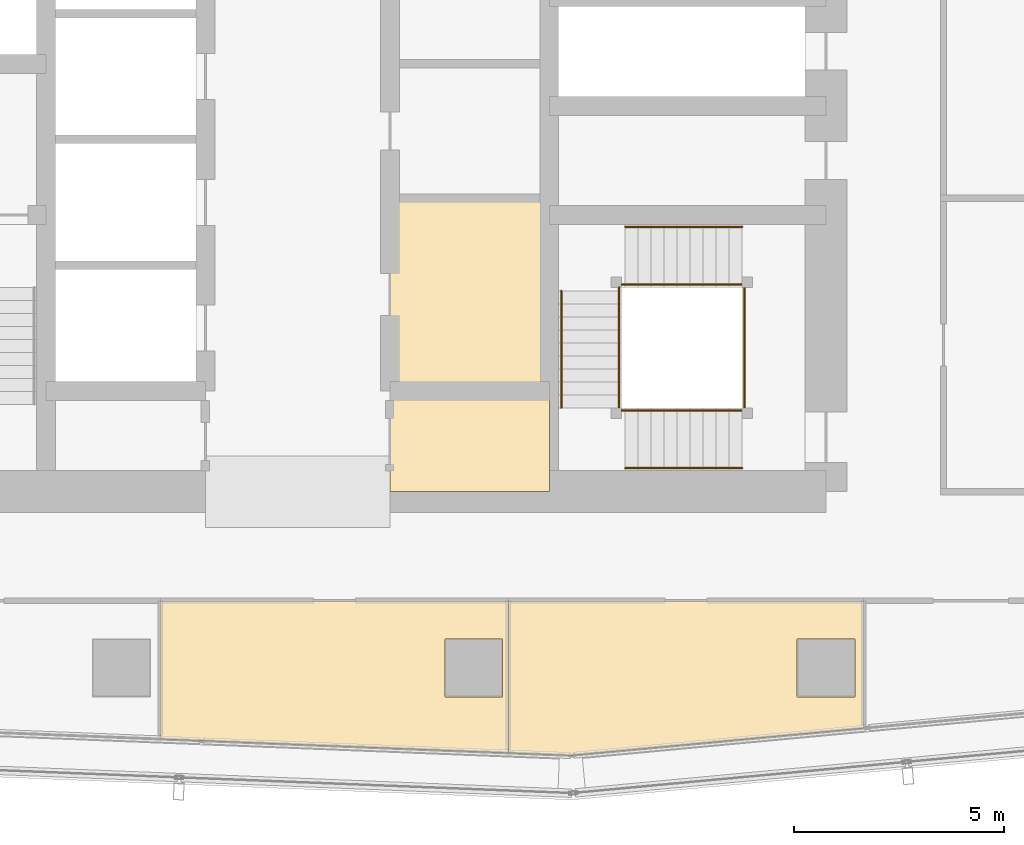
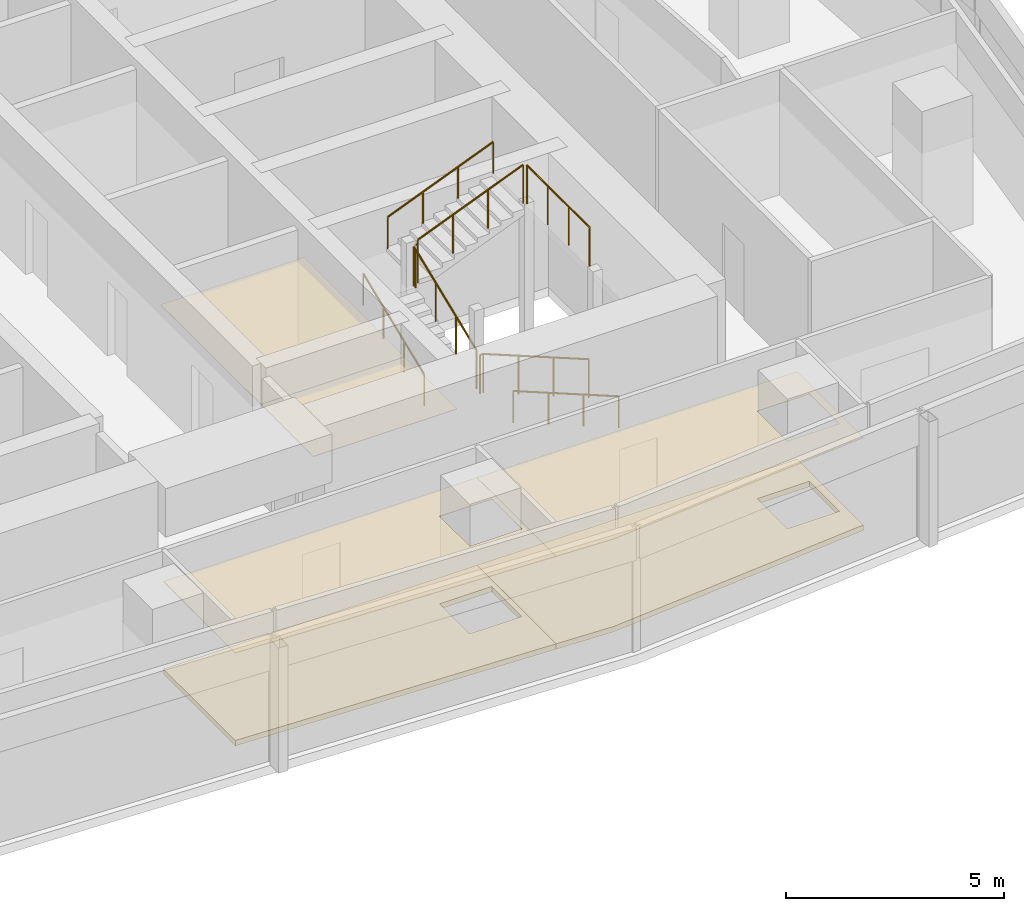
# One storey, part 35 of 40: 10 railings, 6 coverings.
"""IFC4 building model written with IfcOpenShell, lengths in metres."""

from ifc_helpers import new_model, si_unit, direction, frame, origin, origin_2d, place, context, subcontext, project, spatial, polyline, circle, outline, extrude, material, layer, layer_set, type_object, element, save


model = new_model("IFC4")

# Units and contexts
model_context = context("Model", 3, precision=1e-05, world=origin(), true_north=direction((0.0, 1.0)))
body_context = subcontext(model_context, "Body", "Model", "MODEL_VIEW")
ifc_project = project(units=[si_unit("LENGTHUNIT", "METRE"), si_unit("AREAUNIT", "SQUARE_METRE"), si_unit("VOLUMEUNIT", "CUBIC_METRE"), si_unit("PLANEANGLEUNIT", "RADIAN"), si_unit("MASSUNIT", "GRAM", prefix="KILO")], contexts=[model_context])

# Site, building, storey
site_placement = place(None, origin())
site = spatial("IfcSite", under=ifc_project, at=site_placement, CompositionType="ELEMENT")
building_placement = place(site_placement, origin())
building = spatial("IfcBuilding", under=site, at=building_placement, Name="Rekha Terrace Tower", CompositionType="ELEMENT")
storey_placement = place(building_placement, frame((0.0, 0.0, 213.949951171875)))
storey = spatial("IfcBuildingStorey", under=building, at=storey_placement, Name="L54", CompositionType="ELEMENT", Elevation=213.949951171875)

# Coverings
ifc_material_1 = material(Name="Mineral fibre tile in exposed grid", Category="finish")
ifc_layer_1 = layer(ifc_material_1, 0.02001953125)
ifc_layer_set_1 = layer_set([ifc_layer_1], Name="Mineral fibre tile in exposed grid")
covering_type_1 = type_object("IfcCoveringType", Name="CL1 600x1200 office grid ceiling", PredefinedType="CEILING", material=ifc_layer_set_1)
covering_1_placement = place(storey_placement, frame((0.0, 0.0, 2.580078125)))
element("IfcCovering", 1, at=covering_1_placement, inside=storey, type_object=covering_type_1, Name="Ceiling L54-02", PredefinedType="CEILING", context=body_context, shape_type="SweptSolid", body=[
    extrude(outline(polyline([(34.531005859375, 18.39990234375), (34.531005859375, 15.10205078125), (42.822998046875, 14.77099609375), (42.822998046875, 18.39990234375), (34.531005859375, 18.39990234375)]), holes=[polyline([(42.68994140625, 17.489990234375), (42.68994140625, 16.110107421875), (41.31005859375, 16.110107421875), (41.31005859375, 17.489990234375), (42.68994140625, 17.489990234375)])]), origin(), (0.0, 0.0, 1.0), 0.02001953125),
])
covering_2_placement = place(storey_placement, frame((0.0, 0.0, 2.580078125)))
element("IfcCovering", 2, at=covering_2_placement, inside=storey, type_object=covering_type_1, Name="Ceiling L54-03", PredefinedType="CEILING", context=body_context, shape_type="SweptSolid", body=[
    extrude(outline(polyline([(42.823974609375, 14.77099609375), (44.31201171875, 14.7119140625), (51.2900390625, 15.362060546875), (51.2900390625, 18.39990234375), (42.823974609375, 18.39990234375), (42.823974609375, 14.77099609375)]), holes=[polyline([(51.090087890625, 16.110107421875), (49.7099609375, 16.110107421875), (49.7099609375, 17.489990234375), (51.090087890625, 17.489990234375), (51.090087890625, 16.110107421875)])]), origin(), (0.0, 0.0, 1.0), 0.02001953125),
])
ifc_material_2 = material(Name="Fibre cement board", Category="finish")
ifc_layer_2 = layer(ifc_material_2, 0.014892578125)
ifc_layer_set_2 = layer_set([ifc_layer_2], Name="Fibre cement board")
covering_type_2 = type_object("IfcCoveringType", Name="CL2 moisture-resistant board ceiling", PredefinedType="CEILING", material=ifc_layer_set_2)
covering_3_placement = place(storey_placement, frame((0.0, 0.0, 2.5849609375)))
element("IfcCovering", 3, at=covering_3_placement, inside=storey, type_object=covering_type_2, Name="Ceiling L54-WCA", PredefinedType="CEILING", context=body_context, shape_type="SweptSolid", body=[
    extrude(outline(polyline([(43.800048828125, 23.39990234375), (40.0, 23.39990234375), (40.0, 21.0), (43.800048828125, 21.0), (43.800048828125, 23.39990234375)])), origin(), (0.0, 0.0, 1.0), 0.01513671875),
])
covering_4_placement = place(storey_placement, frame((0.0, 0.0, 2.5849609375)))
element("IfcCovering", 4, at=covering_4_placement, inside=storey, type_object=covering_type_2, Name="Ceiling L54-FSE1", PredefinedType="CEILING", context=body_context, shape_type="SweptSolid", body=[
    extrude(outline(polyline([(43.800048828125, 28.0), (40.0, 28.0), (40.0, 23.39990234375), (43.800048828125, 23.39990234375), (43.800048828125, 28.0)])), origin(), (0.0, 0.0, 1.0), 0.01513671875),
])

# Railings
ifc_material_3 = material(Name="Stainless steel balustrade", Category="steel")
railing_type_1 = type_object("IfcRailingType", Name="GR1 1100 stair guard", PredefinedType="GUARDRAIL", material=ifc_material_3)
railing_1_placement = place(storey_placement, frame((48.39990234375, 22.93994140625, 0.125)))
element("IfcRailing", 5, at=railing_1_placement, inside=storey, type_object=railing_type_1, Name="Guard ST3 L54 flight 1", PredefinedType="GUARDRAIL", context=body_context, shape_type="SweptSolid", body=[
    extrude(circle(Radius=0.02392578125, at=origin_2d()), frame((0.0, 0.0, 1.076171875), z_axis=(-0.927431937212, 0.0, 0.373991980981), x_axis=(0.0, -1.0, 0.0)), (0.0, 0.0, 1.0), 3.008056640625),
    extrude(circle(Radius=0.02099609375, at=origin_2d()), origin(), (0.0, 0.0, 1.0), 1.052001953125),
    extrude(circle(Radius=0.02099609375, at=origin_2d()), frame((-0.929931640625, 0.0, 0.375)), (0.0, 0.0, 1.0), 1.052001953125),
    extrude(circle(Radius=0.02099609375, at=origin_2d()), frame((-1.85986328125, 0.0, 0.75)), (0.0, 0.0, 1.0), 1.052001953125),
    extrude(circle(Radius=0.02099609375, at=origin_2d()), frame((-2.789794921875, 0.0, 1.125)), (0.0, 0.0, 1.0), 1.052001953125),
])
railing_2_placement = place(storey_placement, frame((45.465087890625, 23.0, 1.375)))
element("IfcRailing", 6, at=railing_2_placement, inside=storey, type_object=railing_type_1, Name="Guard ST3 L54 flight 2", PredefinedType="GUARDRAIL", context=body_context, shape_type="SweptSolid", body=[
    extrude(circle(Radius=0.02392578125, at=origin_2d()), frame((0.0, 0.0, 1.076171875), z_axis=(0.0, 0.927443287984, 0.373963831907), x_axis=(-1.0, 0.0, 0.0)), (0.0, 0.0, 1.0), 3.00830078125),
    extrude(circle(Radius=0.02099609375, at=origin_2d()), origin(), (0.0, 0.0, 1.0), 1.052001953125),
    extrude(circle(Radius=0.02099609375, at=origin_2d()), frame((0.0, 0.929931640625, 0.375)), (0.0, 0.0, 1.0), 1.052001953125),
    extrude(circle(Radius=0.02099609375, at=origin_2d()), frame((0.0, 1.860107421875, 0.75)), (0.0, 0.0, 1.0), 1.052001953125),
    extrude(circle(Radius=0.02099609375, at=origin_2d()), frame((0.0, 2.7900390625, 1.125)), (0.0, 0.0, 1.0), 1.052001953125),
])
railing_3_placement = place(storey_placement, frame((45.610107421875, 25.93505859375, 2.625)))
element("IfcRailing", 7, at=railing_3_placement, inside=storey, type_object=railing_type_1, Name="Guard ST3 L54 flight 3", PredefinedType="GUARDRAIL", context=body_context, shape_type="SweptSolid", body=[
    extrude(circle(Radius=0.02392578125, at=origin_2d()), frame((0.0, 0.0, 1.076171875), z_axis=(0.927431937212, 0.0, 0.373991980981), x_axis=(0.0, 1.0, 0.0)), (0.0, 0.0, 1.0), 3.008056640625),
    extrude(circle(Radius=0.02099609375, at=origin_2d()), origin(), (0.0, 0.0, 1.0), 1.052001953125),
    extrude(circle(Radius=0.02099609375, at=origin_2d()), frame((0.929931640625, 0.0, 0.375)), (0.0, 0.0, 1.0), 1.052001953125),
    extrude(circle(Radius=0.02099609375, at=origin_2d()), frame((1.85986328125, 0.0, 0.75)), (0.0, 0.0, 1.0), 1.052001953125),
    extrude(circle(Radius=0.02099609375, at=origin_2d()), frame((2.789794921875, 0.0, 1.125)), (0.0, 0.0, 1.0), 1.052001953125),
])
railing_4_placement = place(storey_placement, frame((45.610107421875, 22.93994140625, 1.25)))
element("IfcRailing", 8, at=railing_4_placement, inside=storey, type_object=railing_type_1, Name="Guard ST3 L54 landing 1", PredefinedType="GUARDRAIL", context=body_context, shape_type="SweptSolid", body=[
    extrude(circle(Radius=0.02392578125, at=origin_2d()), frame((0.0, 0.0, 1.076171875), z_axis=(-1.0, 0.0, 0.0), x_axis=(0.0, -1.0, 0.0)), (0.0, 0.0, 1.0), 0.085205078125),
    extrude(circle(Radius=0.02099609375, at=origin_2d()), origin(), (0.0, 0.0, 1.0), 1.052001953125),
    extrude(circle(Radius=0.02099609375, at=origin_2d()), frame((-0.085205078125, 0.0, 0.0)), (0.0, 0.0, 1.0), 1.052001953125),
])
railing_5_placement = place(storey_placement, frame((45.465087890625, 25.7900390625, 2.5)))
element("IfcRailing", 9, at=railing_5_placement, inside=storey, type_object=railing_type_1, Name="Guard ST3 L54 landing 2", PredefinedType="GUARDRAIL", context=body_context, shape_type="SweptSolid", body=[
    extrude(circle(Radius=0.02392578125, at=origin_2d()), frame((0.0, 0.0, 1.076171875), z_axis=(0.0, 1.0, 0.0), x_axis=(-1.0, 0.0, 0.0)), (0.0, 0.0, 1.0), 0.0849609375),
    extrude(circle(Radius=0.02099609375, at=origin_2d()), origin(), (0.0, 0.0, 1.0), 1.052001953125),
    extrude(circle(Radius=0.02099609375, at=origin_2d()), frame((0.0, 0.0849609375, 0.0)), (0.0, 0.0, 1.0), 1.052001953125),
])
railing_6_placement = place(storey_placement, frame((45.610107421875, 25.93505859375, 2.5)))
element("IfcRailing", 10, at=railing_6_placement, inside=storey, type_object=railing_type_1, Name="Guard ST3 L54 landing 3", PredefinedType="GUARDRAIL", context=body_context, shape_type="SweptSolid", body=[
    extrude(circle(Radius=0.02392578125, at=origin_2d()), frame((0.0, 0.0, 1.076171875), z_axis=(-1.0, 0.0, 0.0), x_axis=(0.0, -1.0, 0.0)), (0.0, 0.0, 1.0), 0.085205078125),
    extrude(circle(Radius=0.02099609375, at=origin_2d()), origin(), (0.0, 0.0, 1.0), 1.052001953125),
    extrude(circle(Radius=0.02099609375, at=origin_2d()), frame((-0.085205078125, 0.0, 0.0)), (0.0, 0.0, 1.0), 1.052001953125),
])
railing_7_placement = place(storey_placement, frame((48.4599609375, 23.0, 3.75)))
element("IfcRailing", 11, at=railing_7_placement, inside=storey, type_object=railing_type_1, Name="Guard ST3 L54 landing 4", PredefinedType="GUARDRAIL", context=body_context, shape_type="SweptSolid", body=[
    extrude(circle(Radius=0.02392578125, at=origin_2d()), frame((0.0, 0.0, 1.076171875), z_axis=(0.0, 1.0, 0.0), x_axis=(-1.0, 0.0, 0.0)), (0.0, 0.0, 1.0), 2.875),
    extrude(circle(Radius=0.02099609375, at=origin_2d()), origin(), (0.0, 0.0, 1.0), 1.052001953125),
    extrude(circle(Radius=0.02099609375, at=origin_2d()), frame((0.0, 0.958251953125, 0.0)), (0.0, 0.0, 1.0), 1.052001953125),
    extrude(circle(Radius=0.02099609375, at=origin_2d()), frame((0.0, 1.916748046875, 0.0)), (0.0, 0.0, 1.0), 1.052001953125),
    extrude(circle(Radius=0.02099609375, at=origin_2d()), frame((0.0, 2.875, 0.0)), (0.0, 0.0, 1.0), 1.052001953125),
])
ifc_material_4 = material(Name="Stainless steel tube", Category="steel")
railing_type_2 = type_object("IfcRailingType", Name="HR1 900 stair handrail", PredefinedType="HANDRAIL", material=ifc_material_4)
railing_8_placement = place(storey_placement, frame((48.39990234375, 21.56005859375, 0.125)))
element("IfcRailing", 12, at=railing_8_placement, inside=storey, type_object=railing_type_2, Name="Handrail ST3 L54 flight 1", PredefinedType="HANDRAIL", context=body_context, shape_type="SweptSolid", body=[
    extrude(circle(Radius=0.02392578125, at=origin_2d()), frame((0.0, 0.0, 0.8759765625), z_axis=(-0.927431937212, 0.0, 0.373991980981), x_axis=(0.0, -1.0, 0.0)), (0.0, 0.0, 1.0), 3.008056640625),
    extrude(circle(Radius=0.02099609375, at=origin_2d()), origin(), (0.0, 0.0, 1.0), 0.851806640625),
    extrude(circle(Radius=0.02099609375, at=origin_2d()), frame((-0.929931640625, 0.0, 0.375)), (0.0, 0.0, 1.0), 0.851806640625),
    extrude(circle(Radius=0.02099609375, at=origin_2d()), frame((-1.85986328125, 0.0, 0.75)), (0.0, 0.0, 1.0), 0.851806640625),
    extrude(circle(Radius=0.02099609375, at=origin_2d()), frame((-2.789794921875, 0.0, 1.125)), (0.0, 0.0, 1.0), 0.851806640625),
])
railing_9_placement = place(storey_placement, frame((44.0849609375, 23.0, 1.375)))
element("IfcRailing", 13, at=railing_9_placement, inside=storey, type_object=railing_type_2, Name="Handrail ST3 L54 flight 2", PredefinedType="HANDRAIL", context=body_context, shape_type="SweptSolid", body=[
    extrude(circle(Radius=0.02392578125, at=origin_2d()), frame((0.0, 0.0, 0.8759765625), z_axis=(0.0, 0.927443287984, 0.373963831907), x_axis=(-1.0, 0.0, 0.0)), (0.0, 0.0, 1.0), 3.00830078125),
    extrude(circle(Radius=0.02099609375, at=origin_2d()), origin(), (0.0, 0.0, 1.0), 0.851806640625),
    extrude(circle(Radius=0.02099609375, at=origin_2d()), frame((0.0, 0.929931640625, 0.375)), (0.0, 0.0, 1.0), 0.851806640625),
    extrude(circle(Radius=0.02099609375, at=origin_2d()), frame((0.0, 1.860107421875, 0.75)), (0.0, 0.0, 1.0), 0.851806640625),
    extrude(circle(Radius=0.02099609375, at=origin_2d()), frame((0.0, 2.7900390625, 1.125)), (0.0, 0.0, 1.0), 0.851806640625),
])
railing_10_placement = place(storey_placement, frame((45.610107421875, 27.31494140625, 2.625)))
element("IfcRailing", 14, at=railing_10_placement, inside=storey, type_object=railing_type_2, Name="Handrail ST3 L54 flight 3", PredefinedType="HANDRAIL", context=body_context, shape_type="SweptSolid", body=[
    extrude(circle(Radius=0.02392578125, at=origin_2d()), frame((0.0, 0.0, 0.8759765625), z_axis=(0.927431937212, 0.0, 0.373991980981), x_axis=(0.0, 1.0, 0.0)), (0.0, 0.0, 1.0), 3.008056640625),
    extrude(circle(Radius=0.02099609375, at=origin_2d()), origin(), (0.0, 0.0, 1.0), 0.851806640625),
    extrude(circle(Radius=0.02099609375, at=origin_2d()), frame((0.929931640625, 0.0, 0.375)), (0.0, 0.0, 1.0), 0.851806640625),
    extrude(circle(Radius=0.02099609375, at=origin_2d()), frame((1.85986328125, 0.0, 0.75)), (0.0, 0.0, 1.0), 0.851806640625),
    extrude(circle(Radius=0.02099609375, at=origin_2d()), frame((2.789794921875, 0.0, 1.125)), (0.0, 0.0, 1.0), 0.851806640625),
])

# Coverings
ifc_material_5 = material(Name="Calcium sulphate panels on steel pedestals", Category="steel")
ifc_layer_3 = layer(ifc_material_5, 0.14990234375)
ifc_layer_set_3 = layer_set([ifc_layer_3], Name="Calcium sulphate panels on steel pedestals")
covering_type_3 = type_object("IfcCoveringType", Name="RF1 150 raised access floor", PredefinedType="FLOORING", material=ifc_layer_set_3)
covering_5_placement = place(storey_placement, origin())
element("IfcCovering", 15, at=covering_5_placement, inside=storey, type_object=covering_type_3, Name="Raised floor L54-02", PredefinedType="FLOORING", context=body_context, shape_type="SweptSolid", body=[
    extrude(outline(polyline([(34.531005859375, 18.39990234375), (34.531005859375, 15.10205078125), (42.822998046875, 14.77099609375), (42.822998046875, 18.39990234375), (34.531005859375, 18.39990234375)]), holes=[polyline([(42.68994140625, 17.489990234375), (42.68994140625, 16.110107421875), (41.31005859375, 16.110107421875), (41.31005859375, 17.489990234375), (42.68994140625, 17.489990234375)])]), origin(), (0.0, 0.0, 1.0), 0.150146484375),
])
covering_6_placement = place(storey_placement, origin())
element("IfcCovering", 16, at=covering_6_placement, inside=storey, type_object=covering_type_3, Name="Raised floor L54-03", PredefinedType="FLOORING", context=body_context, shape_type="SweptSolid", body=[
    extrude(outline(polyline([(42.823974609375, 14.77099609375), (44.31201171875, 14.7119140625), (51.2900390625, 15.362060546875), (51.2900390625, 18.39990234375), (42.823974609375, 18.39990234375), (42.823974609375, 14.77099609375)]), holes=[polyline([(51.090087890625, 16.110107421875), (49.7099609375, 16.110107421875), (49.7099609375, 17.489990234375), (51.090087890625, 17.489990234375), (51.090087890625, 16.110107421875)])]), origin(), (0.0, 0.0, 1.0), 0.150146484375),
])

save(model, "model.ifc")
